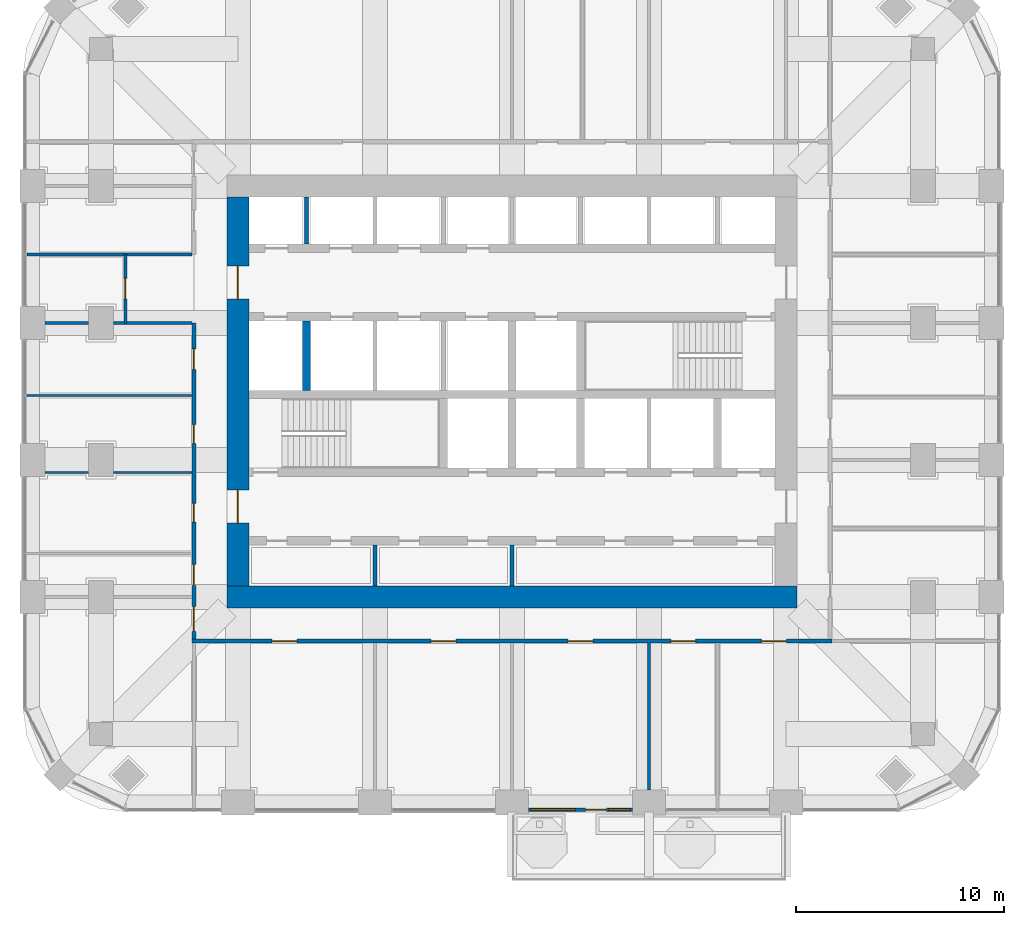
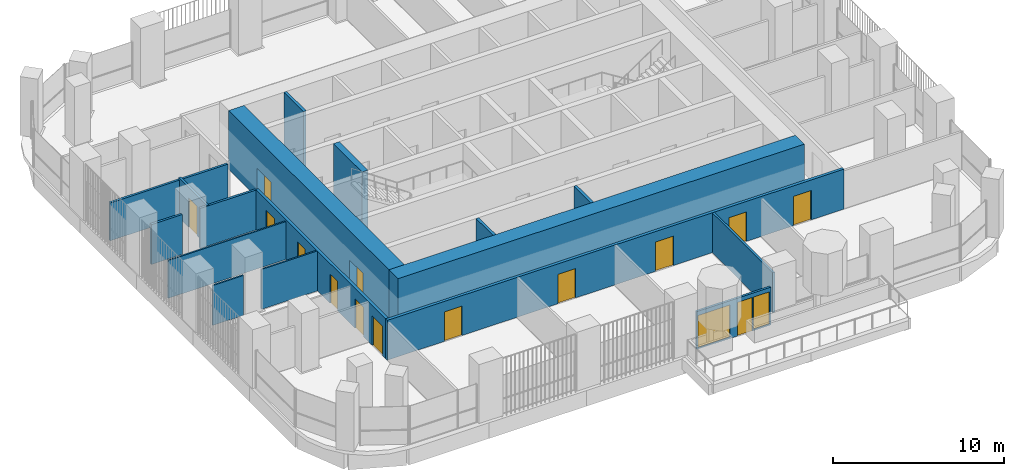
# One storey, part 13 of 20: 17 walls, 14 doors, 2 windows, 16 openings.
"""IFC4 building model written with IfcOpenShell, lengths in metres."""

from ifc_helpers import new_model, si_unit, direction, frame, frame_2d, origin, place, context, subcontext, project, spatial, rectangle, extrude, material, layer, layer_set, type_object, element, fill, save


model = new_model("IFC4")

# Units and contexts
model_context = context("Model", 3, precision=1e-05, world=origin(), true_north=direction((0.0, 1.0)))
body_context = subcontext(model_context, "Body", "Model", "MODEL_VIEW")
ifc_project = project(units=[si_unit("LENGTHUNIT", "METRE"), si_unit("AREAUNIT", "SQUARE_METRE"), si_unit("VOLUMEUNIT", "CUBIC_METRE"), si_unit("PLANEANGLEUNIT", "RADIAN"), si_unit("MASSUNIT", "GRAM", prefix="KILO")], contexts=[model_context])

# Site, building, storey
site_placement = place(None, origin())
site = spatial("IfcSite", under=ifc_project, at=site_placement, CompositionType="ELEMENT")
building_placement = place(site_placement, origin())
building = spatial("IfcBuilding", under=site, at=building_placement, Name="Cobogo Forest Laboratory Tower", CompositionType="ELEMENT")
storey_placement = place(building_placement, frame((0.0, 0.0, 189.300048828125)))
storey = spatial("IfcBuildingStorey", under=building, at=storey_placement, Name="L43", CompositionType="ELEMENT", Elevation=189.300048828125)

# Walls
ifc_material_1 = material(Name="Concrete HA-50 (C50/60)", Category="concrete")
ifc_layer_1 = layer(ifc_material_1, 0.39990234375)
ifc_layer_set_1 = layer_set([ifc_layer_1], Name="CI400 core inner wall 400")
wall_type_1 = type_object("IfcWallType", Name="CI400 core inner wall 400", PredefinedType="SHEAR", material=ifc_layer_set_1)
wall_1_placement = place(storey_placement, frame((16.5, 23.14990234375, 0.0), z_axis=(0.0, 0.0, 1.0), x_axis=(0.0, 1.0, 0.0)))
element("IfcWall", 1, at=wall_1_placement, inside=storey, type_object=wall_type_1, Name="Core wall CX-16.5 L43", PredefinedType="SHEAR", context=body_context, shape_type="SweptSolid", body=[
    extrude(rectangle(XDim=3.35009765625, YDim=0.39990234375, at=frame_2d((1.675048828125, 0.0))), origin(), (0.0, 0.0, 1.0), 4.199951171875),
])
ifc_layer_2 = layer(ifc_material_1, 1.050048828125)
ifc_layer_set_2 = layer_set([ifc_layer_2], Name="CW1050 core outer wall 1050")
wall_type_2 = type_object("IfcWallType", Name="CW1050 core outer wall 1050", PredefinedType="SHEAR", material=ifc_layer_set_2)
wall_2_placement = place(storey_placement, frame((12.675048828125, 13.199951171875, 0.0), z_axis=(0.0, 0.0, 1.0), x_axis=(1.0, 0.0, 0.0)))
element("IfcWall", 2, at=wall_2_placement, inside=storey, type_object=wall_type_2, Name="Core wall CO-S L43", PredefinedType="SHEAR", context=body_context, shape_type="SweptSolid", body=[
    extrude(rectangle(XDim=27.449951171875, YDim=1.050048828125, at=frame_2d((13.72509765625, 0.0))), origin(), (0.0, 0.0, 1.0), 4.199951171875),
])

# Wall, openings, doors
wall_3_placement = place(storey_placement, frame((13.199951171875, 32.47509765625, 0.0), z_axis=(0.0, 0.0, 1.0), x_axis=(0.0, -1.0, 0.0)))
wall_3 = element("IfcWall", 3, at=wall_3_placement, inside=storey, type_object=wall_type_2, Name="Core wall CO-W L43", PredefinedType="SHEAR", context=body_context, shape_type="SweptSolid", body=[
    extrude(rectangle(XDim=18.75, YDim=1.050048828125, at=frame_2d((9.375, 0.0))), origin(), (0.0, 0.0, 1.0), 4.199951171875),
])
opening_1_placement = place(wall_3_placement, frame((14.125, 0.0, 0.0)))
opening_1 = element("IfcOpeningElement", 4, at=opening_1_placement, cuts=wall_3, Name="Opening L43-D19", PredefinedType="OPENING", context=body_context, shape_type="SweptSolid", body=[
    extrude(rectangle(XDim=1.60009765625, YDim=2.10009765625, at=frame_2d((0.800048828125, 1.050048828125))), frame((0.0, 0.534912109375, 0.0), z_axis=(0.0, -1.0, 0.0), x_axis=(1.0, 0.0, 0.0)), (0.0, 0.0, 1.0), 1.070068359375),
])
opening_2_placement = place(wall_3_placement, frame((3.324951171875, 0.0, 0.0)))
opening_2 = element("IfcOpeningElement", 5, at=opening_2_placement, cuts=wall_3, Name="Opening L43-D32", PredefinedType="OPENING", context=body_context, shape_type="SweptSolid", body=[
    extrude(rectangle(XDim=1.60009765625, YDim=2.10009765625, at=frame_2d((0.800048828125, 1.050048828125))), frame((0.0, 0.534912109375, 0.0), z_axis=(0.0, -1.0, 0.0), x_axis=(1.0, 0.0, 0.0)), (0.0, 0.0, 1.0), 1.070068359375),
])
ifc_material_2 = material(Name="Steel fire door", Category="steel")
door_type_1 = type_object("IfcDoorType", Name="DS2 protected lobby door pair 1600 EI2 60", OperationType="DOUBLE_DOOR_DOUBLE_SWING", PredefinedType="DOOR", material=ifc_material_2)
door_1_placement = place(opening_1_placement, origin())
door_1 = element("IfcDoor", 6, at=door_1_placement, inside=storey, type_object=door_type_1, Name="Door L43-CO-W-S", OperationType="DOUBLE_DOOR_DOUBLE_SWING", OverallHeight=2.10009765625, OverallWidth=1.60009765625, PredefinedType="DOOR", context=body_context, shape_type="SweptSolid", body=[
    extrude(rectangle(XDim=1.60009765625, YDim=2.10009765625, at=frame_2d((0.800048828125, 1.050048828125))), frame((0.0, 0.02490234375, 0.0), z_axis=(0.0, -1.0, 0.0), x_axis=(1.0, 0.0, 0.0)), (0.0, 0.0, 1.0), 0.050048828125),
])
fill(opening_1, door_1)
door_2_placement = place(opening_2_placement, origin())
door_2 = element("IfcDoor", 7, at=door_2_placement, inside=storey, type_object=door_type_1, Name="Door L43-CO-W-N", OperationType="DOUBLE_DOOR_DOUBLE_SWING", OverallHeight=2.10009765625, OverallWidth=1.60009765625, PredefinedType="DOOR", context=body_context, shape_type="SweptSolid", body=[
    extrude(rectangle(XDim=1.60009765625, YDim=2.10009765625, at=frame_2d((0.800048828125, 1.050048828125))), frame((0.0, 0.02490234375, 0.0), z_axis=(0.0, -1.0, 0.0), x_axis=(1.0, 0.0, 0.0)), (0.0, 0.0, 1.0), 0.050048828125),
])
fill(opening_2, door_2)

# Wall, openings, door, windows
ifc_material_3 = material(Name="Aluminium framed glazed screen", Category="aluminium")
ifc_layer_3 = layer(ifc_material_3, 0.14990234375)
ifc_layer_set_3 = layer_set([ifc_layer_3], Name="GS1 glazed door screen 150")
wall_type_3 = type_object("IfcWallType", Name="GS1 glazed door screen 150", PredefinedType="SOLIDWALL", material=ifc_layer_set_3)
wall_4_placement = place(storey_placement, frame((27.199951171875, 2.949951171875, 0.0), z_axis=(0.0, 0.0, 1.0), x_axis=(1.0, 0.0, 0.0)))
wall_4 = element("IfcWall", 8, at=wall_4_placement, inside=storey, type_object=wall_type_3, Name="Door screen BAL-S1 L43", PredefinedType="SOLIDWALL", context=body_context, shape_type="SweptSolid", body=[
    extrude(rectangle(XDim=5.0, YDim=0.14990234375, at=frame_2d((2.5, 0.0))), origin(), (0.0, 0.0, 1.0), 2.699951171875),
])
opening_3_placement = place(wall_4_placement, frame((2.75, 0.0, 0.0)))
opening_3 = element("IfcOpeningElement", 9, at=opening_3_placement, cuts=wall_4, Name="Opening L43-D01", PredefinedType="OPENING", context=body_context, shape_type="SweptSolid", body=[
    extrude(rectangle(XDim=1.0, YDim=2.39990234375, at=frame_2d((0.5, 1.199951171875))), frame((0.0, 0.0849609375, 0.0), z_axis=(0.0, -1.0, 0.0), x_axis=(1.0, 0.0, 0.0)), (0.0, 0.0, 1.0), 0.169921875),
])
opening_4_placement = place(wall_4_placement, frame((0.10009765625, 0.0, 0.10009765625)))
opening_4 = element("IfcOpeningElement", 10, at=opening_4_placement, cuts=wall_4, Name="Opening L43-W01", PredefinedType="OPENING", context=body_context, shape_type="SweptSolid", body=[
    extrude(rectangle(XDim=2.14990234375, YDim=2.300048828125, at=frame_2d((1.074951171875, 1.14990234375))), frame((0.0, 0.0849609375, 0.0), z_axis=(0.0, -1.0, 0.0), x_axis=(1.0, 0.0, 0.0)), (0.0, 0.0, 1.0), 0.169921875),
])
opening_5_placement = place(wall_4_placement, frame((3.85009765625, 0.0, 0.10009765625)))
opening_5 = element("IfcOpeningElement", 11, at=opening_5_placement, cuts=wall_4, Name="Opening L43-W02", PredefinedType="OPENING", context=body_context, shape_type="SweptSolid", body=[
    extrude(rectangle(XDim=1.050048828125, YDim=2.300048828125, at=frame_2d((0.52490234375, 1.14990234375))), frame((0.0, 0.0849609375, 0.0), z_axis=(0.0, -1.0, 0.0), x_axis=(1.0, 0.0, 0.0)), (0.0, 0.0, 1.0), 0.169921875),
])
ifc_material_4 = material(Name="Aluminium glazed door", Category="aluminium")
door_type_2 = type_object("IfcDoorType", Name="DB1 balcony door 1000 glazed", OperationType="SINGLE_SWING_LEFT", PredefinedType="DOOR", material=ifc_material_4)
door_3_placement = place(opening_3_placement, origin())
door_3 = element("IfcDoor", 12, at=door_3_placement, inside=storey, type_object=door_type_2, Name="Door L43-BAL-S1", OperationType="SINGLE_SWING_RIGHT", OverallHeight=2.39990234375, OverallWidth=1.0, PredefinedType="DOOR", context=body_context, shape_type="SweptSolid", body=[
    extrude(rectangle(XDim=1.0, YDim=2.39990234375, at=frame_2d((0.5, 1.199951171875))), frame((0.0, 0.02490234375, 0.0), z_axis=(0.0, -1.0, 0.0), x_axis=(1.0, 0.0, 0.0)), (0.0, 0.0, 1.0), 0.050048828125),
])
fill(opening_3, door_3)
ifc_material_5 = material(Name="Aluminium framed glazing", Category="aluminium")
window_type_1 = type_object("IfcWindowType", Name="WG13 fixed glazed light 2150x2300", PartitioningType="SINGLE_PANEL", PredefinedType="WINDOW", material=ifc_material_5)
window_1_placement = place(opening_4_placement, origin())
window_1 = element("IfcWindow", 13, at=window_1_placement, inside=storey, type_object=window_type_1, Name="Window L43-BAL-S1-1", OverallHeight=2.300048828125, OverallWidth=2.14990234375, PartitioningType="SINGLE_PANEL", PredefinedType="WINDOW", context=body_context, shape_type="SweptSolid", body=[
    extrude(rectangle(XDim=2.14990234375, YDim=2.300048828125, at=frame_2d((1.074951171875, 1.14990234375))), frame((0.0, 0.030029296875, 0.0), z_axis=(0.0, -1.0, 0.0), x_axis=(1.0, 0.0, 0.0)), (0.0, 0.0, 1.0), 0.06005859375),
])
fill(opening_4, window_1)
window_type_2 = type_object("IfcWindowType", Name="WG14 fixed glazed light 1050x2300", PartitioningType="SINGLE_PANEL", PredefinedType="WINDOW", material=ifc_material_5)
window_2_placement = place(opening_5_placement, origin())
window_2 = element("IfcWindow", 14, at=window_2_placement, inside=storey, type_object=window_type_2, Name="Window L43-BAL-S1-2", OverallHeight=2.300048828125, OverallWidth=1.050048828125, PartitioningType="SINGLE_PANEL", PredefinedType="WINDOW", context=body_context, shape_type="SweptSolid", body=[
    extrude(rectangle(XDim=1.050048828125, YDim=2.300048828125, at=frame_2d((0.52490234375, 1.14990234375))), frame((0.0, 0.030029296875, 0.0), z_axis=(0.0, -1.0, 0.0), x_axis=(1.0, 0.0, 0.0)), (0.0, 0.0, 1.0), 0.06005859375),
])
fill(opening_5, window_2)

# Wall
ifc_material_6 = material(Name="Gypsum board on steel studs", Category="steel")
ifc_layer_4 = layer(ifc_material_6, 0.14990234375)
ifc_layer_set_4 = layer_set([ifc_layer_4], Name="PT1 laboratory partition 150")
wall_type_4 = type_object("IfcWallType", Name="PT1 laboratory partition 150", PredefinedType="PARTITIONING", material=ifc_layer_set_4)
wall_5_placement = place(storey_placement, frame((33.0, 3.89990234375, 0.0), z_axis=(0.0, 0.0, 1.0), x_axis=(0.0, 1.0, 0.0)))
element("IfcWall", 15, at=wall_5_placement, inside=storey, type_object=wall_type_4, Name="Partition CUT-S33-1 L43", PredefinedType="PARTITIONING", context=body_context, shape_type="SweptSolid", body=[
    extrude(rectangle(XDim=7.0751953125, YDim=0.14990234375, at=frame_2d((3.53759765625, 0.0))), origin(), (0.0, 0.0, 1.0), 2.849853515625),
])

# Wall, opening, door
wall_6_placement = place(storey_placement, frame((7.77490234375, 26.39990234375, 0.0), z_axis=(0.0, 0.0, 1.0), x_axis=(0.0, 1.0, 0.0)))
wall_6 = element("IfcWall", 16, at=wall_6_placement, inside=storey, type_object=wall_type_4, Name="Partition NODE-W-1 L43", PredefinedType="PARTITIONING", context=body_context, shape_type="SweptSolid", body=[
    extrude(rectangle(XDim=3.300048828125, YDim=0.14990234375, at=frame_2d((1.64990234375, 0.0))), origin(), (0.0, 0.0, 1.0), 2.849853515625),
])
opening_6_placement = place(wall_6_placement, frame((1.14990234375, 0.0, 0.0)))
opening_6 = element("IfcOpeningElement", 17, at=opening_6_placement, cuts=wall_6, Name="Opening L43-D30", PredefinedType="OPENING", context=body_context, shape_type="SweptSolid", body=[
    extrude(rectangle(XDim=1.0, YDim=2.10009765625, at=frame_2d((0.5, 1.050048828125))), frame((0.0, 0.0849609375, 0.0), z_axis=(0.0, -1.0, 0.0), x_axis=(1.0, 0.0, 0.0)), (0.0, 0.0, 1.0), 0.169921875),
])
ifc_material_7 = material(Name="Timber fire door", Category="wood")
door_type_3 = type_object("IfcDoorType", Name="FD2 fire door 1000 EI2 30", OperationType="SINGLE_SWING_LEFT", PredefinedType="DOOR", material=ifc_material_7)
door_4_placement = place(opening_6_placement, origin())
door_4 = element("IfcDoor", 18, at=door_4_placement, inside=storey, type_object=door_type_3, Name="Door L43-W3", OperationType="SINGLE_SWING_LEFT", OverallHeight=2.10009765625, OverallWidth=1.0, PredefinedType="DOOR", context=body_context, shape_type="SweptSolid", body=[
    extrude(rectangle(XDim=1.0, YDim=2.10009765625, at=frame_2d((0.5, 1.050048828125))), frame((0.0, 0.02490234375, 0.0), z_axis=(0.0, -1.0, 0.0), x_axis=(1.0, 0.0, 0.0)), (0.0, 0.0, 1.0), 0.050048828125),
])
fill(opening_6, door_4)

# Walls
wall_7_placement = place(storey_placement, frame((3.89990234375, 26.39990234375, 0.0), z_axis=(0.0, 0.0, 1.0), x_axis=(1.0, 0.0, 0.0)))
element("IfcWall", 19, at=wall_7_placement, inside=storey, type_object=wall_type_4, Name="Partition CUT-W26.4-1 L43", PredefinedType="PARTITIONING", context=body_context, shape_type="SweptSolid", body=[
    extrude(rectangle(XDim=2.10009765625, YDim=0.14990234375, at=frame_2d((1.050048828125, 0.0))), origin(), (0.0, 0.0, 1.0), 2.849853515625),
])
wall_8_placement = place(storey_placement, frame((7.199951171875, 26.39990234375, 0.0), z_axis=(0.0, 0.0, 1.0), x_axis=(1.0, 0.0, 0.0)))
element("IfcWall", 20, at=wall_8_placement, inside=storey, type_object=wall_type_4, Name="Partition CUT-W26.4-2 L43", PredefinedType="PARTITIONING", context=body_context, shape_type="SweptSolid", body=[
    extrude(rectangle(XDim=3.775146484375, YDim=0.14990234375, at=frame_2d((1.8876953125, 0.0))), origin(), (0.0, 0.0, 1.0), 2.849853515625),
])
wall_9_placement = place(storey_placement, frame((3.030029296875, 29.699951171875, 0.0), z_axis=(0.0, 0.0, 1.0), x_axis=(1.0, 0.0, 0.0)))
element("IfcWall", 21, at=wall_9_placement, inside=storey, type_object=wall_type_4, Name="Partition CUT-W29.7-1 L43", PredefinedType="PARTITIONING", context=body_context, shape_type="SweptSolid", body=[
    extrude(rectangle(XDim=7.945068359375, YDim=0.14990234375, at=frame_2d((3.97265625, 0.0))), origin(), (0.0, 0.0, 1.0), 2.699951171875),
])

# Wall, openings, doors
ifc_layer_5 = layer(ifc_material_6, 0.199951171875)
ifc_layer_set_5 = layer_set([ifc_layer_5], Name="PT2 fire-rated corridor partition 200")
wall_type_5 = type_object("IfcWallType", Name="PT2 fire-rated corridor partition 200", PredefinedType="PARTITIONING", material=ifc_layer_set_5)
wall_10_placement = place(storey_placement, frame((10.97509765625, 11.074951171875, 0.0), z_axis=(0.0, 0.0, 1.0), x_axis=(1.0, 0.0, 0.0)))
wall_10 = element("IfcWall", 22, at=wall_10_placement, inside=storey, type_object=wall_type_5, Name="Partition CORR-S L43", PredefinedType="PARTITIONING", context=body_context, shape_type="SweptSolid", body=[
    extrude(rectangle(XDim=30.849853515625, YDim=0.199951171875, at=frame_2d((15.4248046875, 0.0))), origin(), (0.0, 0.0, 1.0), 2.849853515625),
])
opening_7_placement = place(wall_10_placement, frame((3.862548828125, 0.0, 0.0)))
opening_7 = element("IfcOpeningElement", 23, at=opening_7_placement, cuts=wall_10, Name="Opening L43-D02", PredefinedType="OPENING", context=body_context, shape_type="SweptSolid", body=[
    extrude(rectangle(XDim=1.199951171875, YDim=2.10009765625, at=frame_2d((0.60009765625, 1.050048828125))), frame((0.0, 0.10986328125, 0.0), z_axis=(0.0, -1.0, 0.0), x_axis=(1.0, 0.0, 0.0)), (0.0, 0.0, 1.0), 0.219970703125),
])
opening_8_placement = place(wall_10_placement, frame((11.52490234375, 0.0, 0.0)))
opening_8 = element("IfcOpeningElement", 24, at=opening_8_placement, cuts=wall_10, Name="Opening L43-D03", PredefinedType="OPENING", context=body_context, shape_type="SweptSolid", body=[
    extrude(rectangle(XDim=1.199951171875, YDim=2.10009765625, at=frame_2d((0.60009765625, 1.050048828125))), frame((0.0, 0.10986328125, 0.0), z_axis=(0.0, -1.0, 0.0), x_axis=(1.0, 0.0, 0.0)), (0.0, 0.0, 1.0), 0.219970703125),
])
opening_9_placement = place(wall_10_placement, frame((18.125, 0.0, 0.0)))
opening_9 = element("IfcOpeningElement", 25, at=opening_9_placement, cuts=wall_10, Name="Opening L43-D04", PredefinedType="OPENING", context=body_context, shape_type="SweptSolid", body=[
    extrude(rectangle(XDim=1.199951171875, YDim=2.10009765625, at=frame_2d((0.60009765625, 1.050048828125))), frame((0.0, 0.10986328125, 0.0), z_axis=(0.0, -1.0, 0.0), x_axis=(1.0, 0.0, 0.0)), (0.0, 0.0, 1.0), 0.219970703125),
])
opening_10_placement = place(wall_10_placement, frame((23.074951171875, 0.0, 0.0)))
opening_10 = element("IfcOpeningElement", 26, at=opening_10_placement, cuts=wall_10, Name="Opening L43-D05", PredefinedType="OPENING", context=body_context, shape_type="SweptSolid", body=[
    extrude(rectangle(XDim=1.199951171875, YDim=2.10009765625, at=frame_2d((0.60009765625, 1.050048828125))), frame((0.0, 0.10986328125, 0.0), z_axis=(0.0, -1.0, 0.0), x_axis=(1.0, 0.0, 0.0)), (0.0, 0.0, 1.0), 0.219970703125),
])
opening_11_placement = place(wall_10_placement, frame((27.4375, 0.0, 0.0)))
opening_11 = element("IfcOpeningElement", 27, at=opening_11_placement, cuts=wall_10, Name="Opening L43-D06", PredefinedType="OPENING", context=body_context, shape_type="SweptSolid", body=[
    extrude(rectangle(XDim=1.199951171875, YDim=2.10009765625, at=frame_2d((0.60009765625, 1.050048828125))), frame((0.0, 0.10986328125, 0.0), z_axis=(0.0, -1.0, 0.0), x_axis=(1.0, 0.0, 0.0)), (0.0, 0.0, 1.0), 0.219970703125),
])
ifc_material_8 = material(Name="Timber door", Category="wood")
door_type_4 = type_object("IfcDoorType", Name="D2 laboratory door 1200 unequal pair", OperationType="DOUBLE_DOOR_SINGLE_SWING", PredefinedType="DOOR", material=ifc_material_8)
door_5_placement = place(opening_7_placement, origin())
door_5 = element("IfcDoor", 28, at=door_5_placement, inside=storey, type_object=door_type_4, Name="Door L43-S1", OperationType="DOUBLE_DOOR_SINGLE_SWING", OverallHeight=2.10009765625, OverallWidth=1.199951171875, PredefinedType="DOOR", context=body_context, shape_type="SweptSolid", body=[
    extrude(rectangle(XDim=1.199951171875, YDim=2.10009765625, at=frame_2d((0.60009765625, 1.050048828125))), frame((0.0, 0.02490234375, 0.0), z_axis=(0.0, -1.0, 0.0), x_axis=(1.0, 0.0, 0.0)), (0.0, 0.0, 1.0), 0.050048828125),
])
fill(opening_7, door_5)
door_6_placement = place(opening_8_placement, origin())
door_6 = element("IfcDoor", 29, at=door_6_placement, inside=storey, type_object=door_type_4, Name="Door L43-S2", OperationType="DOUBLE_DOOR_SINGLE_SWING", OverallHeight=2.10009765625, OverallWidth=1.199951171875, PredefinedType="DOOR", context=body_context, shape_type="SweptSolid", body=[
    extrude(rectangle(XDim=1.199951171875, YDim=2.10009765625, at=frame_2d((0.60009765625, 1.050048828125))), frame((0.0, 0.02490234375, 0.0), z_axis=(0.0, -1.0, 0.0), x_axis=(1.0, 0.0, 0.0)), (0.0, 0.0, 1.0), 0.050048828125),
])
fill(opening_8, door_6)
door_7_placement = place(opening_9_placement, origin())
door_7 = element("IfcDoor", 30, at=door_7_placement, inside=storey, type_object=door_type_4, Name="Door L43-S3", OperationType="DOUBLE_DOOR_SINGLE_SWING", OverallHeight=2.10009765625, OverallWidth=1.199951171875, PredefinedType="DOOR", context=body_context, shape_type="SweptSolid", body=[
    extrude(rectangle(XDim=1.199951171875, YDim=2.10009765625, at=frame_2d((0.60009765625, 1.050048828125))), frame((0.0, 0.02490234375, 0.0), z_axis=(0.0, -1.0, 0.0), x_axis=(1.0, 0.0, 0.0)), (0.0, 0.0, 1.0), 0.050048828125),
])
fill(opening_9, door_7)
door_8_placement = place(opening_10_placement, origin())
door_8 = element("IfcDoor", 31, at=door_8_placement, inside=storey, type_object=door_type_4, Name="Door L43-S4", OperationType="DOUBLE_DOOR_SINGLE_SWING", OverallHeight=2.10009765625, OverallWidth=1.199951171875, PredefinedType="DOOR", context=body_context, shape_type="SweptSolid", body=[
    extrude(rectangle(XDim=1.199951171875, YDim=2.10009765625, at=frame_2d((0.60009765625, 1.050048828125))), frame((0.0, 0.02490234375, 0.0), z_axis=(0.0, -1.0, 0.0), x_axis=(1.0, 0.0, 0.0)), (0.0, 0.0, 1.0), 0.050048828125),
])
fill(opening_10, door_8)
door_9_placement = place(opening_11_placement, origin())
door_9 = element("IfcDoor", 32, at=door_9_placement, inside=storey, type_object=door_type_4, Name="Door L43-S5", OperationType="DOUBLE_DOOR_SINGLE_SWING", OverallHeight=2.10009765625, OverallWidth=1.199951171875, PredefinedType="DOOR", context=body_context, shape_type="SweptSolid", body=[
    extrude(rectangle(XDim=1.199951171875, YDim=2.10009765625, at=frame_2d((0.60009765625, 1.050048828125))), frame((0.0, 0.02490234375, 0.0), z_axis=(0.0, -1.0, 0.0), x_axis=(1.0, 0.0, 0.0)), (0.0, 0.0, 1.0), 0.050048828125),
])
fill(opening_11, door_9)

wall_11_placement = place(storey_placement, frame((11.074951171875, 11.175048828125, 0.0), z_axis=(0.0, 0.0, 1.0), x_axis=(0.0, 1.0, 0.0)))
wall_11 = element("IfcWall", 33, at=wall_11_placement, inside=storey, type_object=wall_type_5, Name="Partition CORR-W-1 L43", PredefinedType="PARTITIONING", context=body_context, shape_type="SweptSolid", body=[
    extrude(rectangle(XDim=15.224853515625, YDim=0.199951171875, at=frame_2d((7.6123046875, 0.0))), origin(), (0.0, 0.0, 1.0), 2.849853515625),
])
opening_12_placement = place(wall_11_placement, frame((0.362548828125, 0.0, 0.0)))
opening_12 = element("IfcOpeningElement", 34, at=opening_12_placement, cuts=wall_11, Name="Opening L43-D07", PredefinedType="OPENING", context=body_context, shape_type="SweptSolid", body=[
    extrude(rectangle(XDim=1.199951171875, YDim=2.10009765625, at=frame_2d((0.60009765625, 1.050048828125))), frame((0.0, 0.10986328125, 0.0), z_axis=(0.0, -1.0, 0.0), x_axis=(1.0, 0.0, 0.0)), (0.0, 0.0, 1.0), 0.219970703125),
])
opening_13_placement = place(wall_11_placement, frame((2.574951171875, 0.0, 0.0)))
opening_13 = element("IfcOpeningElement", 35, at=opening_13_placement, cuts=wall_11, Name="Opening L43-D09", PredefinedType="OPENING", context=body_context, shape_type="SweptSolid", body=[
    extrude(rectangle(XDim=1.0, YDim=2.10009765625, at=frame_2d((0.5, 1.050048828125))), frame((0.0, 0.10986328125, 0.0), z_axis=(0.0, -1.0, 0.0), x_axis=(1.0, 0.0, 0.0)), (0.0, 0.0, 1.0), 0.219970703125),
])
opening_14_placement = place(wall_11_placement, frame((5.625, 0.0, 0.0)))
opening_14 = element("IfcOpeningElement", 36, at=opening_14_placement, cuts=wall_11, Name="Opening L43-D18", PredefinedType="OPENING", context=body_context, shape_type="SweptSolid", body=[
    extrude(rectangle(XDim=0.89990234375, YDim=2.10009765625, at=frame_2d((0.449951171875, 1.050048828125))), frame((0.0, 0.10986328125, 0.0), z_axis=(0.0, -1.0, 0.0), x_axis=(1.0, 0.0, 0.0)), (0.0, 0.0, 1.0), 0.219970703125),
])
opening_15_placement = place(wall_11_placement, frame((9.425048828125, 0.0, 0.0)))
opening_15 = element("IfcOpeningElement", 37, at=opening_15_placement, cuts=wall_11, Name="Opening L43-D25", PredefinedType="OPENING", context=body_context, shape_type="SweptSolid", body=[
    extrude(rectangle(XDim=0.89990234375, YDim=2.10009765625, at=frame_2d((0.449951171875, 1.050048828125))), frame((0.0, 0.10986328125, 0.0), z_axis=(0.0, -1.0, 0.0), x_axis=(1.0, 0.0, 0.0)), (0.0, 0.0, 1.0), 0.219970703125),
])
opening_16_placement = place(wall_11_placement, frame((12.97509765625, 0.0, 0.0)))
opening_16 = element("IfcOpeningElement", 38, at=opening_16_placement, cuts=wall_11, Name="Opening L43-D28", PredefinedType="OPENING", context=body_context, shape_type="SweptSolid", body=[
    extrude(rectangle(XDim=1.0, YDim=2.10009765625, at=frame_2d((0.5, 1.050048828125))), frame((0.0, 0.10986328125, 0.0), z_axis=(0.0, -1.0, 0.0), x_axis=(1.0, 0.0, 0.0)), (0.0, 0.0, 1.0), 0.219970703125),
])
door_10_placement = place(opening_12_placement, origin())
door_10 = element("IfcDoor", 39, at=door_10_placement, inside=storey, type_object=door_type_4, Name="Door L43-W1", OperationType="DOUBLE_DOOR_SINGLE_SWING", OverallHeight=2.10009765625, OverallWidth=1.199951171875, PredefinedType="DOOR", context=body_context, shape_type="SweptSolid", body=[
    extrude(rectangle(XDim=1.199951171875, YDim=2.10009765625, at=frame_2d((0.60009765625, 1.050048828125))), frame((0.0, 0.02490234375, 0.0), z_axis=(0.0, -1.0, 0.0), x_axis=(1.0, 0.0, 0.0)), (0.0, 0.0, 1.0), 0.050048828125),
])
fill(opening_12, door_10)
door_11_placement = place(opening_16_placement, origin())
door_11 = element("IfcDoor", 40, at=door_11_placement, inside=storey, type_object=door_type_3, Name="Door L43-SHW", OperationType="SINGLE_SWING_RIGHT", OverallHeight=2.10009765625, OverallWidth=1.0, PredefinedType="DOOR", context=body_context, shape_type="SweptSolid", body=[
    extrude(rectangle(XDim=1.0, YDim=2.10009765625, at=frame_2d((0.5, 1.050048828125))), frame((0.0, 0.02490234375, 0.0), z_axis=(0.0, -1.0, 0.0), x_axis=(1.0, 0.0, 0.0)), (0.0, 0.0, 1.0), 0.050048828125),
])
fill(opening_16, door_11)
door_type_5 = type_object("IfcDoorType", Name="FD3 toilet fire door 900 EI2 30", OperationType="SINGLE_SWING_LEFT", PredefinedType="DOOR", material=ifc_material_7)
door_12_placement = place(opening_14_placement, origin())
door_12 = element("IfcDoor", 41, at=door_12_placement, inside=storey, type_object=door_type_5, Name="Door L43-WCF", OperationType="SINGLE_SWING_LEFT", OverallHeight=2.10009765625, OverallWidth=0.89990234375, PredefinedType="DOOR", context=body_context, shape_type="SweptSolid", body=[
    extrude(rectangle(XDim=0.89990234375, YDim=2.10009765625, at=frame_2d((0.449951171875, 1.050048828125))), frame((0.0, 0.02490234375, 0.0), z_axis=(0.0, -1.0, 0.0), x_axis=(1.0, 0.0, 0.0)), (0.0, 0.0, 1.0), 0.050048828125),
])
fill(opening_14, door_12)
door_13_placement = place(opening_15_placement, origin())
door_13 = element("IfcDoor", 42, at=door_13_placement, inside=storey, type_object=door_type_5, Name="Door L43-WCM", OperationType="SINGLE_SWING_RIGHT", OverallHeight=2.10009765625, OverallWidth=0.89990234375, PredefinedType="DOOR", context=body_context, shape_type="SweptSolid", body=[
    extrude(rectangle(XDim=0.89990234375, YDim=2.10009765625, at=frame_2d((0.449951171875, 1.050048828125))), frame((0.0, 0.02490234375, 0.0), z_axis=(0.0, -1.0, 0.0), x_axis=(1.0, 0.0, 0.0)), (0.0, 0.0, 1.0), 0.050048828125),
])
fill(opening_15, door_13)
door_type_6 = type_object("IfcDoorType", Name="FDA1 accessible toilet fire door 1000 EI2 30", OperationType="SINGLE_SWING_RIGHT", PredefinedType="DOOR", material=ifc_material_7)
door_14_placement = place(opening_13_placement, origin())
door_14 = element("IfcDoor", 43, at=door_14_placement, inside=storey, type_object=door_type_6, Name="Door L43-WCA", OperationType="SINGLE_SWING_LEFT", OverallHeight=2.10009765625, OverallWidth=1.0, PredefinedType="DOOR", context=body_context, shape_type="SweptSolid", body=[
    extrude(rectangle(XDim=1.0, YDim=2.10009765625, at=frame_2d((0.5, 1.050048828125))), frame((0.0, 0.02490234375, 0.0), z_axis=(0.0, -1.0, 0.0), x_axis=(1.0, 0.0, 0.0)), (0.0, 0.0, 1.0), 0.050048828125),
])
fill(opening_13, door_14)

# Walls
ifc_layer_6 = layer(ifc_material_6, 0.10009765625)
ifc_layer_set_6 = layer_set([ifc_layer_6], Name="PT3 toilet partition 100")
wall_type_6 = type_object("IfcWallType", Name="PT3 toilet partition 100", PredefinedType="PARTITIONING", material=ifc_layer_set_6)
wall_12_placement = place(storey_placement, frame((3.89990234375, 19.199951171875, 0.0), z_axis=(0.0, 0.0, 1.0), x_axis=(1.0, 0.0, 0.0)))
element("IfcWall", 44, at=wall_12_placement, inside=storey, type_object=wall_type_6, Name="Partition SVC-W2-1 L43", PredefinedType="PARTITIONING", context=body_context, shape_type="SweptSolid", body=[
    extrude(rectangle(XDim=2.10009765625, YDim=0.10009765625, at=frame_2d((1.050048828125, 0.0))), origin(), (0.0, 0.0, 1.0), 2.849853515625),
])
wall_13_placement = place(storey_placement, frame((7.199951171875, 19.199951171875, 0.0), z_axis=(0.0, 0.0, 1.0), x_axis=(1.0, 0.0, 0.0)))
element("IfcWall", 45, at=wall_13_placement, inside=storey, type_object=wall_type_6, Name="Partition SVC-W2-2 L43", PredefinedType="PARTITIONING", context=body_context, shape_type="SweptSolid", body=[
    extrude(rectangle(XDim=3.775146484375, YDim=0.10009765625, at=frame_2d((1.8876953125, 0.0))), origin(), (0.0, 0.0, 1.0), 2.849853515625),
])
wall_14_placement = place(storey_placement, frame((3.030029296875, 22.89990234375, 0.0), z_axis=(0.0, 0.0, 1.0), x_axis=(1.0, 0.0, 0.0)))
element("IfcWall", 46, at=wall_14_placement, inside=storey, type_object=wall_type_6, Name="Partition SVC-W3-1 L43", PredefinedType="PARTITIONING", context=body_context, shape_type="SweptSolid", body=[
    extrude(rectangle(XDim=7.945068359375, YDim=0.10009765625, at=frame_2d((3.97265625, 0.0))), origin(), (0.0, 0.0, 1.0), 2.699951171875),
])
ifc_material_9 = material(Name="Concrete block", Category="concrete")
ifc_layer_7 = layer(ifc_material_9, 0.199951171875)
ifc_layer_set_7 = layer_set([ifc_layer_7], Name="SW200 lift shaft separator 200")
wall_type_7 = type_object("IfcWallType", Name="SW200 lift shaft separator 200", PredefinedType="PARTITIONING", material=ifc_layer_set_7)
wall_15_placement = place(storey_placement, frame((16.5, 30.199951171875, 0.0), z_axis=(0.0, 0.0, 1.0), x_axis=(0.0, 1.0, 0.0)))
element("IfcWall", 47, at=wall_15_placement, inside=storey, type_object=wall_type_7, Name="Core wall SEP-N1 L43", PredefinedType="PARTITIONING", context=body_context, shape_type="SweptSolid", body=[
    extrude(rectangle(XDim=2.275146484375, YDim=0.199951171875, at=frame_2d((1.1376953125, 0.0))), origin(), (0.0, 0.0, 1.0), 4.199951171875),
])
for number, where, z_axis, x_axis, name in (
    (48, (19.800048828125, 13.72509765625, 0.0), (0.0, 0.0, 1.0), (0.0, 1.0, 0.0), "Core wall SEP-S2 L43"),
    (49, (26.39990234375, 13.72509765625, 0.0), (0.0, 0.0, 1.0), (0.0, 1.0, 0.0), "Core wall SEP-S4 L43"),
):
    element("IfcWall", number, at=place(storey_placement, frame(where, z_axis=z_axis, x_axis=x_axis)), inside=storey, type_object=wall_type_7, Name=name, PredefinedType="PARTITIONING", context=body_context, shape_type="SweptSolid", body=[
        extrude(rectangle(XDim=1.974853515625, YDim=0.199951171875, at=frame_2d((0.9873046875, 0.0))), origin(), (0.0, 0.0, 1.0), 4.199951171875),
    ])

save(model, "model.ifc")
